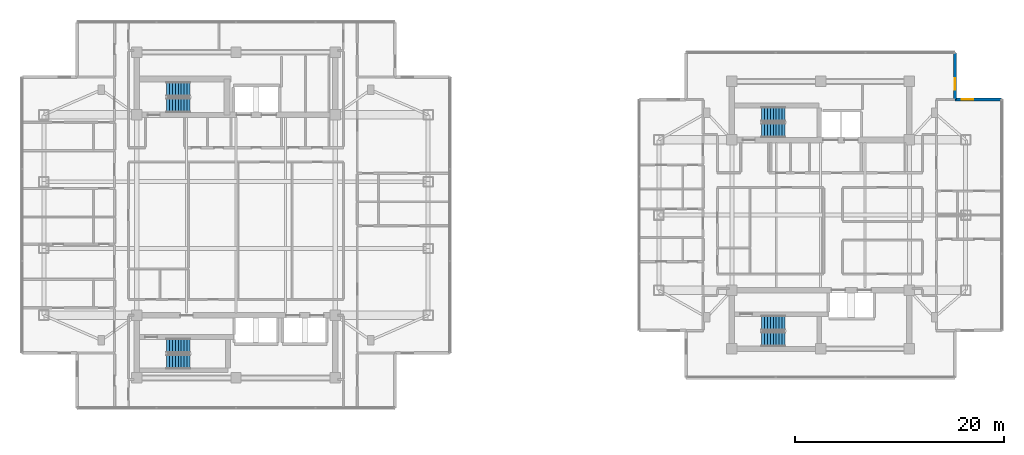
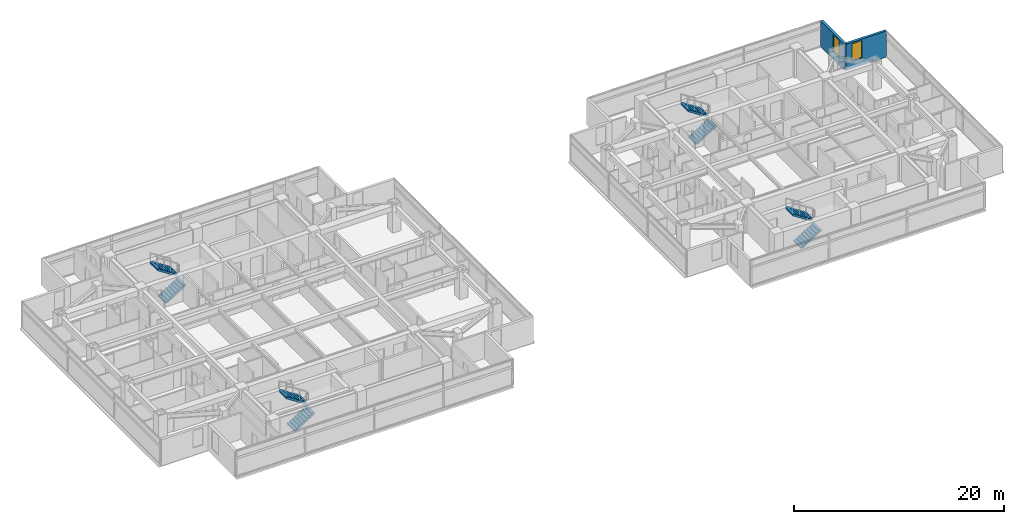
# One storey, part 18 of 24: 8 stair flights, 2 walls, 2 windows, 2 openings, 4 elements without a shape of their own.
"""IFC4 building model written with IfcOpenShell, lengths in metres."""

from ifc_helpers import new_model, si_unit, direction, frame, frame_2d, origin, place, context, subcontext, project, spatial, polyline, rectangle, outline, extrude, material, layer, layer_set, type_object, element, fill, aggregate, save


model = new_model("IFC4")

# Units and contexts
model_context = context("Model", 3, precision=1e-05, world=origin(), true_north=direction((0.0, 1.0)))
body_context = subcontext(model_context, "Body", "Model", "MODEL_VIEW")
ifc_project = project(units=[si_unit("LENGTHUNIT", "METRE"), si_unit("AREAUNIT", "SQUARE_METRE"), si_unit("VOLUMEUNIT", "CUBIC_METRE"), si_unit("PLANEANGLEUNIT", "RADIAN"), si_unit("MASSUNIT", "GRAM", prefix="KILO")], contexts=[model_context])

# Site, building, storey
site_placement = place(None, origin())
site = spatial("IfcSite", under=ifc_project, at=site_placement, CompositionType="ELEMENT")
building_placement = place(site_placement, origin())
building = spatial("IfcBuilding", under=site, at=building_placement, Name="Mirazonda Arch Towers", CompositionType="ELEMENT")
storey_placement = place(building_placement, frame((0.0, 0.0, 164.14990234375)))
storey = spatial("IfcBuildingStorey", under=building, at=storey_placement, Name="L46", CompositionType="ELEMENT", Elevation=164.14990234375)

# Wall, opening, window
ifc_material_1 = material(Name="Precast Concrete C40/50", Category="concrete")
ifc_layer = layer(ifc_material_1, 0.280029296875, Name="WALL-EXT-WALL-280")
ifc_layer_set = layer_set([ifc_layer], Name="Precast Concrete C40/50")
wall_type = type_object("IfcWallType", Name="WALL-EXT-WALL-280", PredefinedType="SOLIDWALL", material=ifc_layer_set)
wall_1_placement = place(storey_placement, frame((89.38134765625, 39.076171875, 0.0), z_axis=(0.0, 0.0, 1.0), x_axis=(0.0, 1.0, 0.0)))
wall_1 = element("IfcWall", 1, at=wall_1_placement, inside=storey, type_object=wall_type, Name="L46 T2 Notched NE Corner Wall WL-L46-T2-CNE", PredefinedType="SOLIDWALL", context=body_context, shape_type="SweptSolid", body=[
    extrude(rectangle(XDim=4.46533203125, YDim=0.280029296875, at=frame_2d((2.232666015625, 0.0))), origin(), (0.0, 0.0, 1.0), 3.030029296875),
])
opening_1_placement = place(wall_1_placement, frame((0.949951171875, 0.0, 0.85009765625)))
opening_1 = element("IfcOpeningElement", 2, at=opening_1_placement, cuts=wall_1, Name="Opening WN-108", PredefinedType="OPENING", context=body_context, shape_type="SweptSolid", body=[
    extrude(rectangle(XDim=1.10009765625, YDim=2.0, at=frame_2d((0.550048828125, 1.0))), frame((0.0, 0.14990234375, 0.0), z_axis=(0.0, -1.0, 0.0), x_axis=(1.0, 0.0, 0.0)), (0.0, 0.0, 1.0), 0.300048828125),
])
ifc_material_2 = material(Name="Insulated Low-E Solar Glass", Category="glass")
window_type = type_object("IfcWindowType", Name="WIN-NOTCH-1100x2000", PartitioningType="SINGLE_PANEL", PredefinedType="WINDOW", material=ifc_material_2)
window_1_placement = place(opening_1_placement, origin())
window_1 = element("IfcWindow", 3, at=window_1_placement, inside=storey, type_object=window_type, Name="L46 Punched Facade Window WN-L46-T2-CNE", OverallHeight=2.0, OverallWidth=1.10009765625, PartitioningType="SINGLE_PANEL", PredefinedType="WINDOW", context=body_context, shape_type="SweptSolid", body=[
    extrude(rectangle(XDim=1.10009765625, YDim=2.0, at=frame_2d((0.550048828125, 1.0))), frame((0.0, 0.030029296875, 0.0), z_axis=(0.0, -1.0, 0.0), x_axis=(1.0, 0.0, 0.0)), (0.0, 0.0, 1.0), 0.06005859375),
])
fill(opening_1, window_1)

wall_2_placement = place(storey_placement, frame((93.846435546875, 39.076171875, 0.0), z_axis=(0.0, 0.0, 1.0), x_axis=(-1.0, 0.0, 0.0)))
wall_2 = element("IfcWall", 4, at=wall_2_placement, inside=storey, type_object=wall_type, Name="L46 T2 Corner Notch Return Wall WL-L46-T2-CNE2", PredefinedType="SOLIDWALL", context=body_context, shape_type="SweptSolid", body=[
    extrude(rectangle(XDim=4.465087890625, YDim=0.280029296875, at=frame_2d((2.232421875, 0.0))), origin(), (0.0, 0.0, 1.0), 3.030029296875),
])
opening_2_placement = place(wall_2_placement, frame((2.715087890625, 0.0, 0.85009765625)))
opening_2 = element("IfcOpeningElement", 5, at=opening_2_placement, cuts=wall_2, Name="Opening WN-108", PredefinedType="OPENING", context=body_context, shape_type="SweptSolid", body=[
    extrude(rectangle(XDim=1.10009765625, YDim=2.0, at=frame_2d((0.550048828125, 1.0))), frame((0.0, 0.14990234375, 0.0), z_axis=(0.0, -1.0, 0.0), x_axis=(1.0, 0.0, 0.0)), (0.0, 0.0, 1.0), 0.300048828125),
])
window_2_placement = place(opening_2_placement, origin())
window_2 = element("IfcWindow", 6, at=window_2_placement, inside=storey, type_object=window_type, Name="L46 Punched Facade Window WN-L46-T2-CNE2", OverallHeight=2.0, OverallWidth=1.10009765625, PartitioningType="SINGLE_PANEL", PredefinedType="WINDOW", context=body_context, shape_type="SweptSolid", body=[
    extrude(rectangle(XDim=1.10009765625, YDim=2.0, at=frame_2d((0.550048828125, 1.0))), frame((0.0, 0.030029296875, 0.0), z_axis=(0.0, -1.0, 0.0), x_axis=(1.0, 0.0, 0.0)), (0.0, 0.0, 1.0), 0.06005859375),
])
fill(opening_2, window_2)

# Stair, stair flights
ifc_material_3 = material(Name="Concrete C40/50", Category="concrete")
stair_type = type_object("IfcStairType", Name="STAIR-CORE-1400", PredefinedType="HALF_TURN_STAIR", material=ifc_material_3)
stair_1_placement = place(storey_placement, origin())
stair_1 = element("IfcStair", 7, at=stair_1_placement, inside=storey, type_object=stair_type, Name="L46 Protected Exit Stair ST-T1N", PredefinedType="HALF_TURN_STAIR")
stair_flight_type = type_object("IfcStairFlightType", Name="FLIGHT-1400", PredefinedType="STRAIGHT", material=ifc_material_3)
stair_flight_1_placement = place(storey_placement, frame((13.85009765625, 38.52001953125, 0.0), z_axis=(0.0, 0.0, 1.0), x_axis=(1.0, 0.0, 0.0)))
stair_flight_1 = element("IfcStairFlight", 8, at=stair_flight_1_placement, type_object=stair_flight_type, Name="ST-T1N flight 1", NumberOfRisers=9, NumberOfTreads=8, PredefinedType="STRAIGHT", RiserHeight=0.180555556, TreadLength=0.28, context=body_context, shape_type="SweptSolid", body=[
    extrude(outline(polyline([(0.0, 0.0), (0.0, 0.1806640625), (0.280029296875, 0.1806640625), (0.280029296875, 0.361083984375), (0.56005859375, 0.361083984375), (0.56005859375, 0.541748046875), (0.840087890625, 0.541748046875), (0.840087890625, 0.72216796875), (1.1201171875, 0.72216796875), (1.1201171875, 0.90283203125), (1.39990234375, 0.90283203125), (1.39990234375, 1.083251953125), (1.679931640625, 1.083251953125), (1.679931640625, 1.263916015625), (1.9599609375, 1.263916015625), (1.9599609375, 1.4443359375), (2.239990234375, 1.4443359375), (2.239990234375, 1.625), (2.239990234375, 1.254150390625), (0.295166015625, 0.0), (0.0, 0.0)])), frame((0.0, 0.699951171875, 0.0), z_axis=(0.0, -1.0, 0.0), x_axis=(1.0, 0.0, 0.0)), (0.0, 0.0, 1.0), 1.39990234375),
])
stair_flight_2_placement = place(storey_placement, frame((16.090087890625, 40.06005859375, 1.625), z_axis=(0.0, 0.0, 1.0), x_axis=(-1.0, 0.0, 0.0)))
stair_flight_2 = element("IfcStairFlight", 9, at=stair_flight_2_placement, type_object=stair_flight_type, Name="ST-T1N flight 2", NumberOfRisers=9, NumberOfTreads=8, PredefinedType="STRAIGHT", RiserHeight=0.180555556, TreadLength=0.28, context=body_context, shape_type="SweptSolid", body=[
    extrude(outline(polyline([(0.0, 0.0), (0.0, 0.1806640625), (0.280029296875, 0.1806640625), (0.280029296875, 0.361083984375), (0.56005859375, 0.361083984375), (0.56005859375, 0.541748046875), (0.840087890625, 0.541748046875), (0.840087890625, 0.72216796875), (1.1201171875, 0.72216796875), (1.1201171875, 0.90283203125), (1.39990234375, 0.90283203125), (1.39990234375, 1.083251953125), (1.679931640625, 1.083251953125), (1.679931640625, 1.263916015625), (1.9599609375, 1.263916015625), (1.9599609375, 1.4443359375), (2.239990234375, 1.4443359375), (2.239990234375, 1.625), (2.239990234375, 1.254150390625), (0.295166015625, 0.0), (0.0, 0.0)])), frame((0.0, 0.699951171875, 0.0), z_axis=(0.0, -1.0, 0.0), x_axis=(1.0, 0.0, 0.0)), (0.0, 0.0, 1.0), 1.39990234375),
])
aggregate(stair_1, [stair_flight_1, stair_flight_2])

stair_2_placement = place(storey_placement, origin())
stair_2 = element("IfcStair", 10, at=stair_2_placement, inside=storey, type_object=stair_type, Name="L46 Protected Exit Stair ST-T1S", PredefinedType="HALF_TURN_STAIR")
stair_flight_3_placement = place(storey_placement, frame((13.85009765625, 13.949951171875, 0.0), z_axis=(0.0, 0.0, 1.0), x_axis=(1.0, 0.0, 0.0)))
stair_flight_3 = element("IfcStairFlight", 11, at=stair_flight_3_placement, type_object=stair_flight_type, Name="ST-T1S flight 1", NumberOfRisers=9, NumberOfTreads=8, PredefinedType="STRAIGHT", RiserHeight=0.180555556, TreadLength=0.28, context=body_context, shape_type="SweptSolid", body=[
    extrude(outline(polyline([(0.0, 0.0), (0.0, 0.1806640625), (0.280029296875, 0.1806640625), (0.280029296875, 0.361083984375), (0.56005859375, 0.361083984375), (0.56005859375, 0.541748046875), (0.840087890625, 0.541748046875), (0.840087890625, 0.72216796875), (1.1201171875, 0.72216796875), (1.1201171875, 0.90283203125), (1.39990234375, 0.90283203125), (1.39990234375, 1.083251953125), (1.679931640625, 1.083251953125), (1.679931640625, 1.263916015625), (1.9599609375, 1.263916015625), (1.9599609375, 1.4443359375), (2.239990234375, 1.4443359375), (2.239990234375, 1.625), (2.239990234375, 1.254150390625), (0.295166015625, 0.0), (0.0, 0.0)])), frame((0.0, 0.699951171875, 0.0), z_axis=(0.0, -1.0, 0.0), x_axis=(1.0, 0.0, 0.0)), (0.0, 0.0, 1.0), 1.39990234375),
])
stair_flight_4_placement = place(storey_placement, frame((16.090087890625, 15.489990234375, 1.625), z_axis=(0.0, 0.0, 1.0), x_axis=(-1.0, 0.0, 0.0)))
stair_flight_4 = element("IfcStairFlight", 12, at=stair_flight_4_placement, type_object=stair_flight_type, Name="ST-T1S flight 2", NumberOfRisers=9, NumberOfTreads=8, PredefinedType="STRAIGHT", RiserHeight=0.180555556, TreadLength=0.28, context=body_context, shape_type="SweptSolid", body=[
    extrude(outline(polyline([(0.0, 0.0), (0.0, 0.1806640625), (0.280029296875, 0.1806640625), (0.280029296875, 0.361083984375), (0.56005859375, 0.361083984375), (0.56005859375, 0.541748046875), (0.840087890625, 0.541748046875), (0.840087890625, 0.72216796875), (1.1201171875, 0.72216796875), (1.1201171875, 0.90283203125), (1.39990234375, 0.90283203125), (1.39990234375, 1.083251953125), (1.679931640625, 1.083251953125), (1.679931640625, 1.263916015625), (1.9599609375, 1.263916015625), (1.9599609375, 1.4443359375), (2.239990234375, 1.4443359375), (2.239990234375, 1.625), (2.239990234375, 1.254150390625), (0.295166015625, 0.0), (0.0, 0.0)])), frame((0.0, 0.699951171875, 0.0), z_axis=(0.0, -1.0, 0.0), x_axis=(1.0, 0.0, 0.0)), (0.0, 0.0, 1.0), 1.39990234375),
])
aggregate(stair_2, [stair_flight_3, stair_flight_4])

stair_3_placement = place(storey_placement, origin())
stair_3 = element("IfcStair", 13, at=stair_3_placement, inside=storey, type_object=stair_type, Name="L46 Protected Exit Stair ST-T2N", PredefinedType="HALF_TURN_STAIR")
stair_flight_5_placement = place(storey_placement, frame((70.85009765625, 36.1201171875, 0.0), z_axis=(0.0, 0.0, 1.0), x_axis=(1.0, 0.0, 0.0)))
stair_flight_5 = element("IfcStairFlight", 14, at=stair_flight_5_placement, type_object=stair_flight_type, Name="ST-T2N flight 1", NumberOfRisers=9, NumberOfTreads=8, PredefinedType="STRAIGHT", RiserHeight=0.180555556, TreadLength=0.28, context=body_context, shape_type="SweptSolid", body=[
    extrude(outline(polyline([(0.0, 0.0), (0.0, 0.1806640625), (0.280029296875, 0.1806640625), (0.280029296875, 0.361083984375), (0.56005859375, 0.361083984375), (0.56005859375, 0.541748046875), (0.840087890625, 0.541748046875), (0.840087890625, 0.72216796875), (1.1201171875, 0.72216796875), (1.1201171875, 0.90283203125), (1.39990234375, 0.90283203125), (1.39990234375, 1.083251953125), (1.679931640625, 1.083251953125), (1.679931640625, 1.263916015625), (1.9599609375, 1.263916015625), (1.9599609375, 1.4443359375), (2.239990234375, 1.4443359375), (2.239990234375, 1.625), (2.239990234375, 1.254150390625), (0.295166015625, 0.0), (0.0, 0.0)])), frame((0.0, 0.699951171875, 0.0), z_axis=(0.0, -1.0, 0.0), x_axis=(1.0, 0.0, 0.0)), (0.0, 0.0, 1.0), 1.39990234375),
])
stair_flight_6_placement = place(storey_placement, frame((73.090087890625, 37.659912109375, 1.625), z_axis=(0.0, 0.0, 1.0), x_axis=(-1.0, 0.0, 0.0)))
stair_flight_6 = element("IfcStairFlight", 15, at=stair_flight_6_placement, type_object=stair_flight_type, Name="ST-T2N flight 2", NumberOfRisers=9, NumberOfTreads=8, PredefinedType="STRAIGHT", RiserHeight=0.180555556, TreadLength=0.28, context=body_context, shape_type="SweptSolid", body=[
    extrude(outline(polyline([(0.0, 0.0), (0.0, 0.1806640625), (0.280029296875, 0.1806640625), (0.280029296875, 0.361083984375), (0.56005859375, 0.361083984375), (0.56005859375, 0.541748046875), (0.840087890625, 0.541748046875), (0.840087890625, 0.72216796875), (1.1201171875, 0.72216796875), (1.1201171875, 0.90283203125), (1.39990234375, 0.90283203125), (1.39990234375, 1.083251953125), (1.679931640625, 1.083251953125), (1.679931640625, 1.263916015625), (1.9599609375, 1.263916015625), (1.9599609375, 1.4443359375), (2.239990234375, 1.4443359375), (2.239990234375, 1.625), (2.239990234375, 1.254150390625), (0.295166015625, 0.0), (0.0, 0.0)])), frame((0.0, 0.699951171875, 0.0), z_axis=(0.0, -1.0, 0.0), x_axis=(1.0, 0.0, 0.0)), (0.0, 0.0, 1.0), 1.39990234375),
])
aggregate(stair_3, [stair_flight_5, stair_flight_6])

stair_4_placement = place(storey_placement, origin())
stair_4 = element("IfcStair", 16, at=stair_4_placement, inside=storey, type_object=stair_type, Name="L46 Protected Exit Stair ST-T2S", PredefinedType="HALF_TURN_STAIR")
stair_flight_7_placement = place(storey_placement, frame((70.85009765625, 16.1201171875, 0.0), z_axis=(0.0, 0.0, 1.0), x_axis=(1.0, 0.0, 0.0)))
stair_flight_7 = element("IfcStairFlight", 17, at=stair_flight_7_placement, type_object=stair_flight_type, Name="ST-T2S flight 1", NumberOfRisers=9, NumberOfTreads=8, PredefinedType="STRAIGHT", RiserHeight=0.180555556, TreadLength=0.28, context=body_context, shape_type="SweptSolid", body=[
    extrude(outline(polyline([(0.0, 0.0), (0.0, 0.1806640625), (0.280029296875, 0.1806640625), (0.280029296875, 0.361083984375), (0.56005859375, 0.361083984375), (0.56005859375, 0.541748046875), (0.840087890625, 0.541748046875), (0.840087890625, 0.72216796875), (1.1201171875, 0.72216796875), (1.1201171875, 0.90283203125), (1.39990234375, 0.90283203125), (1.39990234375, 1.083251953125), (1.679931640625, 1.083251953125), (1.679931640625, 1.263916015625), (1.9599609375, 1.263916015625), (1.9599609375, 1.4443359375), (2.239990234375, 1.4443359375), (2.239990234375, 1.625), (2.239990234375, 1.254150390625), (0.295166015625, 0.0), (0.0, 0.0)])), frame((0.0, 0.699951171875, 0.0), z_axis=(0.0, -1.0, 0.0), x_axis=(1.0, 0.0, 0.0)), (0.0, 0.0, 1.0), 1.39990234375),
])
stair_flight_8_placement = place(storey_placement, frame((73.090087890625, 17.659912109375, 1.625), z_axis=(0.0, 0.0, 1.0), x_axis=(-1.0, 0.0, 0.0)))
stair_flight_8 = element("IfcStairFlight", 18, at=stair_flight_8_placement, type_object=stair_flight_type, Name="ST-T2S flight 2", NumberOfRisers=9, NumberOfTreads=8, PredefinedType="STRAIGHT", RiserHeight=0.180555556, TreadLength=0.28, context=body_context, shape_type="SweptSolid", body=[
    extrude(outline(polyline([(0.0, 0.0), (0.0, 0.1806640625), (0.280029296875, 0.1806640625), (0.280029296875, 0.361083984375), (0.56005859375, 0.361083984375), (0.56005859375, 0.541748046875), (0.840087890625, 0.541748046875), (0.840087890625, 0.72216796875), (1.1201171875, 0.72216796875), (1.1201171875, 0.90283203125), (1.39990234375, 0.90283203125), (1.39990234375, 1.083251953125), (1.679931640625, 1.083251953125), (1.679931640625, 1.263916015625), (1.9599609375, 1.263916015625), (1.9599609375, 1.4443359375), (2.239990234375, 1.4443359375), (2.239990234375, 1.625), (2.239990234375, 1.254150390625), (0.295166015625, 0.0), (0.0, 0.0)])), frame((0.0, 0.699951171875, 0.0), z_axis=(0.0, -1.0, 0.0), x_axis=(1.0, 0.0, 0.0)), (0.0, 0.0, 1.0), 1.39990234375),
])
aggregate(stair_4, [stair_flight_7, stair_flight_8])

save(model, "model.ifc")
